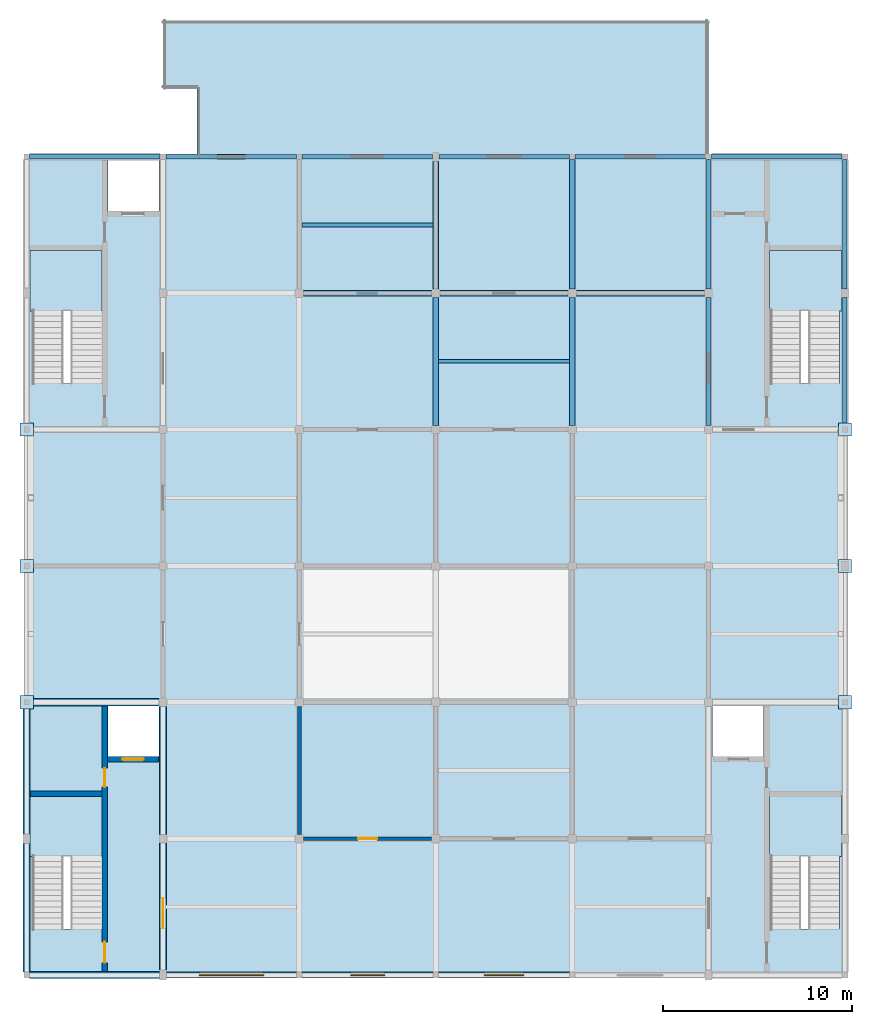
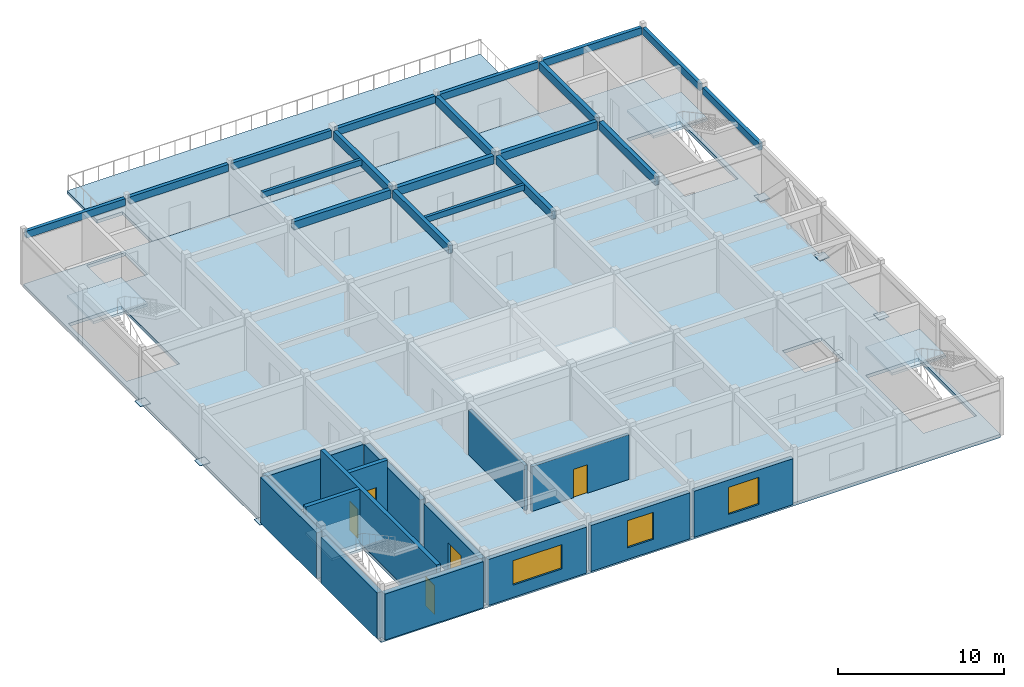
# One storey, part 2 of 6: 19 beams, 14 walls, 6 plates, 6 slabs, 5 doors, 3 windows, 8 openings, 4 elements without a shape of their own.
"""IFC4 building model written with IfcOpenShell, lengths in metres."""

from ifc_helpers import new_model, si_unit, direction, frame, frame_2d, origin, origin_2d, place, context, subcontext, project, spatial, polyline, rectangle, outline, extrude, material, layer, layer_set, material_profile, profile_set, type_object, element, fill, aggregate, save


model = new_model("IFC4")

# Units and contexts
model_context = context("Model", 3, precision=1e-05, world=origin(), true_north=direction((0.0, 1.0)))
body_context = subcontext(model_context, "Body", "Model", "MODEL_VIEW")
ifc_project = project(units=[si_unit("LENGTHUNIT", "METRE"), si_unit("AREAUNIT", "SQUARE_METRE"), si_unit("VOLUMEUNIT", "CUBIC_METRE"), si_unit("PLANEANGLEUNIT", "RADIAN"), si_unit("MASSUNIT", "GRAM", prefix="KILO")], contexts=[model_context])

# Site, building, storey
site_placement = place(None, origin())
site = spatial("IfcSite", under=ifc_project, at=site_placement, CompositionType="ELEMENT")
building_placement = place(site_placement, origin())
building = spatial("IfcBuilding", under=site, at=building_placement, Name="Cendaluz Park School", CompositionType="ELEMENT")
storey_placement = place(building_placement, frame((0.0, 0.0, 63.0)))
storey = spatial("IfcBuildingStorey", under=building, at=storey_placement, Name="L15", CompositionType="ELEMENT", Elevation=63.0)

# Beams
ifc_material_1 = material(Name="Glulam GL28h", Category="wood")
ifc_material_profile_1 = material_profile(ifc_material_1, rectangle(XDim=0.280029296875, YDim=0.60009765625, at=origin_2d()), Name="GL28h 280x600", Category="wood")
ifc_profile_set_1 = profile_set([ifc_material_profile_1], Name="Glulam GL28h")
beam_type_1 = type_object("IfcBeamType", Name="BM-GL02", PredefinedType="BEAM", material=ifc_profile_set_1)
beam_1_placement = place(storey_placement, frame((79.419921875, 50.39990234375, 3.610107421875), z_axis=(1.0, 0.0, 0.0), x_axis=(0.0, 1.0, 0.0)))
element("IfcBeam", 1, at=beam_1_placement, inside=storey, type_object=beam_type_1, Name="BM-L15-BMGL02-0018", PredefinedType="BEAM", context=body_context, shape_type="SweptSolid", body=[
    extrude(rectangle(XDim=0.280029296875, YDim=0.60009765625, at=origin_2d()), origin(), (0.0, 0.0, 1.0), 6.760009765625),
])
beam_2_placement = place(storey_placement, frame((86.6201171875, 50.39990234375, 3.610107421875), z_axis=(1.0, 0.0, 0.0), x_axis=(0.0, 1.0, 0.0)))
element("IfcBeam", 2, at=beam_2_placement, inside=storey, type_object=beam_type_1, Name="BM-L15-BMGL02-0025", PredefinedType="BEAM", context=body_context, shape_type="SweptSolid", body=[
    extrude(rectangle(XDim=0.280029296875, YDim=0.60009765625, at=origin_2d()), origin(), (0.0, 0.0, 1.0), 6.759765625),
])
for number, where, z_axis, x_axis, name in (
    (3, (93.820068359375, 50.39990234375, 3.610107421875), (1.0, 0.0, 0.0), (0.0, 1.0, 0.0), "BM-L15-BMGL02-0032"),
    (4, (86.39990234375, 43.419921875, 3.610107421875), (0.0, 1.0, 0.0), (-1.0, 0.0, 0.0), "BM-L15-BMGL02-0061"),
):
    element("IfcBeam", number, at=place(storey_placement, frame(where, z_axis=z_axis, x_axis=x_axis)), inside=storey, type_object=beam_type_1, Name=name, PredefinedType="BEAM", context=body_context, shape_type="SweptSolid", body=[
        extrude(rectangle(XDim=0.280029296875, YDim=0.60009765625, at=origin_2d()), origin(), (0.0, 0.0, 1.0), 6.760009765625),
    ])
beam_3_placement = place(storey_placement, frame((86.39990234375, 50.6201171875, 3.610107421875), z_axis=(0.0, 1.0, 0.0), x_axis=(-1.0, 0.0, 0.0)))
element("IfcBeam", 5, at=beam_3_placement, inside=storey, type_object=beam_type_1, Name="BM-L15-BMGL02-0062", PredefinedType="BEAM", context=body_context, shape_type="SweptSolid", body=[
    extrude(rectangle(XDim=0.280029296875, YDim=0.60009765625, at=origin_2d()), origin(), (0.0, 0.0, 1.0), 6.719970703125),
])
beam_4_placement = place(storey_placement, frame((93.60009765625, 43.419921875, 3.610107421875), z_axis=(0.0, 1.0, 0.0), x_axis=(-1.0, 0.0, 0.0)))
element("IfcBeam", 6, at=beam_4_placement, inside=storey, type_object=beam_type_1, Name="BM-L15-BMGL02-0067", PredefinedType="BEAM", context=body_context, shape_type="SweptSolid", body=[
    extrude(rectangle(XDim=0.280029296875, YDim=0.60009765625, at=origin_2d()), origin(), (0.0, 0.0, 1.0), 6.760009765625),
])
beam_5_placement = place(storey_placement, frame((93.60009765625, 50.6201171875, 3.610107421875), z_axis=(0.0, 1.0, 0.0), x_axis=(-1.0, 0.0, 0.0)))
element("IfcBeam", 7, at=beam_5_placement, inside=storey, type_object=beam_type_1, Name="BM-L15-BMGL02-0068", PredefinedType="BEAM", context=body_context, shape_type="SweptSolid", body=[
    extrude(rectangle(XDim=0.280029296875, YDim=0.60009765625, at=origin_2d()), origin(), (0.0, 0.0, 1.0), 6.829833984375),
])
beam_6_placement = place(storey_placement, frame((100.800048828125, 43.419921875, 3.610107421875), z_axis=(0.0, 1.0, 0.0), x_axis=(-1.0, 0.0, 0.0)))
element("IfcBeam", 8, at=beam_6_placement, inside=storey, type_object=beam_type_1, Name="BM-L15-BMGL02-0073", PredefinedType="BEAM", context=body_context, shape_type="SweptSolid", body=[
    extrude(rectangle(XDim=0.280029296875, YDim=0.60009765625, at=origin_2d()), origin(), (0.0, 0.0, 1.0), 6.760009765625),
])
beam_7_placement = place(storey_placement, frame((100.800048828125, 50.6201171875, 3.610107421875), z_axis=(0.0, 1.0, 0.0), x_axis=(-1.0, 0.0, 0.0)))
element("IfcBeam", 9, at=beam_7_placement, inside=storey, type_object=beam_type_1, Name="BM-L15-BMGL02-0074", PredefinedType="BEAM", context=body_context, shape_type="SweptSolid", body=[
    extrude(rectangle(XDim=0.280029296875, YDim=0.60009765625, at=origin_2d()), origin(), (0.0, 0.0, 1.0), 6.829833984375),
])
ifc_material_profile_2 = material_profile(ifc_material_1, rectangle(XDim=0.239990234375, YDim=0.52001953125, at=origin_2d()), Name="GL28h 240x520", Category="wood")
ifc_profile_set_2 = profile_set([ifc_material_profile_2], Name="Glulam GL28h")
beam_type_2 = type_object("IfcBeamType", Name="BM-GL03", PredefinedType="SPANDREL", material=ifc_profile_set_2)
for number, where, z_axis, x_axis, name in (
    (10, (64.949951171875, 57.60009765625, 3.64990234375), (1.0, 0.0, 0.0), (0.0, 1.0, 0.0), "BM-L15-BMGL03-0005"),
    (11, (72.14990234375, 57.60009765625, 3.64990234375), (1.0, 0.0, 0.0), (0.0, 1.0, 0.0), "BM-L15-BMGL03-0012"),
):
    element("IfcBeam", number, at=place(storey_placement, frame(where, z_axis=z_axis, x_axis=x_axis)), inside=storey, type_object=beam_type_2, Name=name, PredefinedType="SPANDREL", context=body_context, shape_type="SweptSolid", body=[
        extrude(rectangle(XDim=0.239990234375, YDim=0.52001953125, at=origin_2d()), origin(), (0.0, 0.0, 1.0), 6.900146484375),
    ])
for number, where, z_axis, x_axis, name in (
    (12, (79.35009765625, 57.60009765625, 3.64990234375), (1.0, 0.0, 0.0), (0.0, 1.0, 0.0), "BM-L15-BMGL03-0019"),
    (13, (86.580078125, 57.60009765625, 3.64990234375), (1.0, 0.0, 0.0), (0.0, 1.0, 0.0), "BM-L15-BMGL03-0026"),
):
    element("IfcBeam", number, at=place(storey_placement, frame(where, z_axis=z_axis, x_axis=x_axis)), inside=storey, type_object=beam_type_2, Name=name, PredefinedType="SPANDREL", context=body_context, shape_type="SweptSolid", body=[
        extrude(rectangle(XDim=0.239990234375, YDim=0.52001953125, at=origin_2d()), origin(), (0.0, 0.0, 1.0), 6.869873046875),
    ])
beam_8_placement = place(storey_placement, frame((93.75, 57.60009765625, 3.64990234375), z_axis=(1.0, 0.0, 0.0), x_axis=(0.0, 1.0, 0.0)))
element("IfcBeam", 14, at=beam_8_placement, inside=storey, type_object=beam_type_2, Name="BM-L15-BMGL03-0033", PredefinedType="SPANDREL", context=body_context, shape_type="SweptSolid", body=[
    extrude(rectangle(XDim=0.239990234375, YDim=0.52001953125, at=origin_2d()), origin(), (0.0, 0.0, 1.0), 6.89990234375),
])
beam_9_placement = place(storey_placement, frame((100.949951171875, 57.60009765625, 3.64990234375), z_axis=(1.0, 0.0, 0.0), x_axis=(0.0, 1.0, 0.0)))
element("IfcBeam", 15, at=beam_9_placement, inside=storey, type_object=beam_type_2, Name="BM-L15-BMGL03-0038", PredefinedType="SPANDREL", context=body_context, shape_type="SweptSolid", body=[
    extrude(rectangle(XDim=0.239990234375, YDim=0.52001953125, at=origin_2d()), origin(), (0.0, 0.0, 1.0), 6.900146484375),
])
for number, where, z_axis, x_axis, name in (
    (16, (108.0, 43.35009765625, 3.64990234375), (0.0, 1.0, 0.0), (-1.0, 0.0, 0.0), "BM-L15-BMGL03-0079"),
    (17, (108.0, 50.6201171875, 3.64990234375), (0.0, 1.0, 0.0), (-1.0, 0.0, 0.0), "BM-L15-BMGL03-0080"),
):
    element("IfcBeam", number, at=place(storey_placement, frame(where, z_axis=z_axis, x_axis=x_axis)), inside=storey, type_object=beam_type_2, Name=name, PredefinedType="SPANDREL", context=body_context, shape_type="SweptSolid", body=[
        extrude(rectangle(XDim=0.239990234375, YDim=0.52001953125, at=origin_2d()), origin(), (0.0, 0.0, 1.0), 6.829833984375),
    ])
ifc_material_profile_3 = material_profile(ifc_material_1, rectangle(XDim=0.199951171875, YDim=0.419921875, at=origin_2d()), Name="GL28h 200x420", Category="wood")
ifc_profile_set_3 = profile_set([ifc_material_profile_3], Name="Glulam GL28h")
beam_type_3 = type_object("IfcBeamType", Name="JT-GL02", PredefinedType="JOIST", material=ifc_profile_set_3)
for number, where, z_axis, x_axis, name in (
    (18, (79.340087890625, 54.0, 3.699951171875), (1.0, 0.0, 0.0), (0.0, 1.0, 0.0), "BM-L15-JTGL02-0084"),
    (19, (86.5400390625, 46.800048828125, 3.699951171875), (1.0, 0.0, 0.0), (0.0, 1.0, 0.0), "BM-L15-JTGL02-0086"),
):
    element("IfcBeam", number, at=place(storey_placement, frame(where, z_axis=z_axis, x_axis=x_axis)), inside=storey, type_object=beam_type_3, Name=name, PredefinedType="JOIST", context=body_context, shape_type="SweptSolid", body=[
        extrude(rectangle(XDim=0.199951171875, YDim=0.419921875, at=origin_2d()), origin(), (0.0, 0.0, 1.0), 6.919921875),
    ])

# Plates
ifc_material_2 = material(Name="Steel S355", Category="steel")
ifc_layer_1 = layer(ifc_material_2, 0.030029296875)
ifc_layer_set_1 = layer_set([ifc_layer_1], Name="Steel S355")
plate_type = type_object("IfcPlateType", Name="GP-02", PredefinedType="SHEET", material=ifc_layer_set_1)
for number, where, z_axis, x_axis, name in (
    (20, (64.800048828125, 28.800048828125, 0.0), (0.0, 0.0, 1.0), (1.0, 0.0, 0.0), "GP-L15-BF01"),
    (21, (64.800048828125, 36.0, 0.0), (0.0, 0.0, 1.0), (1.0, 0.0, 0.0), "GP-L15-BF02"),
    (22, (64.800048828125, 43.199951171875, 0.0), (0.0, 0.0, 1.0), (1.0, 0.0, 0.0), "GP-L15-BF03"),
    (23, (108.0, 28.800048828125, 0.0), (0.0, 0.0, 1.0), (1.0, 0.0, 0.0), "GP-L15-BF04"),
    (24, (108.0, 36.0, 0.0), (0.0, 0.0, 1.0), (1.0, 0.0, 0.0), "GP-L15-BF05"),
    (25, (108.0, 43.199951171875, 0.0), (0.0, 0.0, 1.0), (1.0, 0.0, 0.0), "GP-L15-BF06"),
):
    element("IfcPlate", number, at=place(storey_placement, frame(where, z_axis=z_axis, x_axis=x_axis)), inside=storey, type_object=plate_type, Name=name, PredefinedType="SHEET", context=body_context, shape_type="SweptSolid", body=[
        extrude(rectangle(XDim=0.699951171875, YDim=0.699951171875, at=origin_2d()), origin(), (0.0, 0.0, 1.0), 0.030029296875),
    ])

# Slab
ifc_material_3 = material(Name="Cross-laminated timber CLT C24", Category="wood")
ifc_layer_2 = layer(ifc_material_3, 0.239990234375)
ifc_layer_set_2 = layer_set([ifc_layer_2], Name="Cross-laminated timber CLT C24")
slab_type_1 = type_object("IfcSlabType", Name="SL-FL-240", PredefinedType="FLOOR", material=ifc_layer_set_2)
slab_1_placement = place(storey_placement, frame((0.0, 0.0, -0.239990234375)))
element("IfcSlab", 26, at=slab_1_placement, inside=storey, type_object=slab_type_1, Name="SL-L15-01", PredefinedType="FLOOR", context=body_context, shape_type="SweptSolid", body=[
    extrude(outline(polyline([(64.800048828125, 57.60009765625), (108.0, 57.60009765625), (108.0, 14.39990234375), (64.800048828125, 14.39990234375), (64.800048828125, 57.60009765625)]), holes=[polyline([(65.080078125, 16.820068359375), (68.77001953125, 16.820068359375), (68.77001953125, 23.840087890625), (65.080078125, 23.840087890625), (65.080078125, 16.820068359375)]), polyline([(69.10009765625, 28.60009765625), (69.10009765625, 25.93994140625), (71.800048828125, 25.93994140625), (71.800048828125, 28.60009765625), (69.10009765625, 28.60009765625)]), polyline([(107.719970703125, 23.840087890625), (104.030029296875, 23.840087890625), (104.030029296875, 16.820068359375), (107.719970703125, 16.820068359375), (107.719970703125, 23.840087890625)]), polyline([(103.699951171875, 25.93994140625), (103.699951171875, 28.60009765625), (101.0, 28.60009765625), (101.0, 25.93994140625), (103.699951171875, 25.93994140625)]), polyline([(65.080078125, 45.6201171875), (68.77001953125, 45.6201171875), (68.77001953125, 52.639892578125), (65.080078125, 52.639892578125), (65.080078125, 45.6201171875)]), polyline([(69.10009765625, 57.39990234375), (69.10009765625, 54.739990234375), (71.800048828125, 54.739990234375), (71.800048828125, 57.39990234375), (69.10009765625, 57.39990234375)]), polyline([(107.719970703125, 52.639892578125), (104.030029296875, 52.639892578125), (104.030029296875, 45.6201171875), (107.719970703125, 45.6201171875), (107.719970703125, 52.639892578125)])]), origin(), (0.0, 0.0, 1.0), 0.239990234375),
])

# Stair, slab
stair_type = type_object("IfcStairType", Name="ST-420-165", PredefinedType="HALF_TURN_STAIR", material=ifc_material_3)
stair_1_placement = place(storey_placement, origin())
stair_1 = element("IfcStair", 27, at=stair_1_placement, inside=storey, type_object=stair_type, Name="ST-L15-C1", PredefinedType="HALF_TURN_STAIR")
ifc_layer_3 = layer(ifc_material_3, 0.179931640625)
ifc_layer_set_3 = layer_set([ifc_layer_3], Name="Cross-laminated timber CLT C24")
slab_type_2 = type_object("IfcSlabType", Name="SL-LD-180", PredefinedType="LANDING", material=ifc_layer_set_3)
slab_2_placement = place(storey_placement, frame((0.0, 0.0, 1.919921875)))
slab_2 = element("IfcSlab", 28, at=slab_2_placement, type_object=slab_type_2, Name="SL-LD-L15-C1", PredefinedType="LANDING", context=body_context, shape_type="SweptSolid", body=[
    extrude(outline(polyline([(64.989990234375, 20.659912109375), (68.77001953125, 20.659912109375), (68.77001953125, 23.860107421875), (64.989990234375, 23.860107421875), (64.989990234375, 20.659912109375)])), origin(), (0.0, 0.0, 1.0), 0.18017578125),
])
aggregate(stair_1, [slab_2])

stair_2_placement = place(storey_placement, origin())
stair_2 = element("IfcStair", 29, at=stair_2_placement, inside=storey, type_object=stair_type, Name="ST-L15-C2", PredefinedType="HALF_TURN_STAIR")
slab_3_placement = place(storey_placement, frame((0.0, 0.0, 1.919921875)))
slab_3 = element("IfcSlab", 30, at=slab_3_placement, type_object=slab_type_2, Name="SL-LD-L15-C2", PredefinedType="LANDING", context=body_context, shape_type="SweptSolid", body=[
    extrude(outline(polyline([(104.030029296875, 20.659912109375), (107.81005859375, 20.659912109375), (107.81005859375, 23.860107421875), (104.030029296875, 23.860107421875), (104.030029296875, 20.659912109375)])), origin(), (0.0, 0.0, 1.0), 0.18017578125),
])
aggregate(stair_2, [slab_3])

stair_3_placement = place(storey_placement, origin())
stair_3 = element("IfcStair", 31, at=stair_3_placement, inside=storey, type_object=stair_type, Name="ST-L15-C3", PredefinedType="HALF_TURN_STAIR")
slab_4_placement = place(storey_placement, frame((0.0, 0.0, 1.919921875)))
slab_4 = element("IfcSlab", 32, at=slab_4_placement, type_object=slab_type_2, Name="SL-LD-L15-C3", PredefinedType="LANDING", context=body_context, shape_type="SweptSolid", body=[
    extrude(outline(polyline([(64.989990234375, 49.4599609375), (68.77001953125, 49.4599609375), (68.77001953125, 52.659912109375), (64.989990234375, 52.659912109375), (64.989990234375, 49.4599609375)])), origin(), (0.0, 0.0, 1.0), 0.18017578125),
])
aggregate(stair_3, [slab_4])

stair_4_placement = place(storey_placement, origin())
stair_4 = element("IfcStair", 33, at=stair_4_placement, inside=storey, type_object=stair_type, Name="ST-L15-C4", PredefinedType="HALF_TURN_STAIR")
slab_5_placement = place(storey_placement, frame((0.0, 0.0, 1.919921875)))
slab_5 = element("IfcSlab", 34, at=slab_5_placement, type_object=slab_type_2, Name="SL-LD-L15-C4", PredefinedType="LANDING", context=body_context, shape_type="SweptSolid", body=[
    extrude(outline(polyline([(104.030029296875, 49.4599609375), (107.81005859375, 49.4599609375), (107.81005859375, 52.659912109375), (104.030029296875, 52.659912109375), (104.030029296875, 49.4599609375)])), origin(), (0.0, 0.0, 1.0), 0.18017578125),
])
aggregate(stair_4, [slab_5])

# Slab
ifc_layer_4 = layer(ifc_material_3, 0.239990234375)
ifc_layer_set_4 = layer_set([ifc_layer_4], Name="Cross-laminated timber CLT C24")
slab_type_3 = type_object("IfcSlabType", Name="SL-PD-240", PredefinedType="FLOOR", material=ifc_layer_set_4)
slab_6_placement = place(storey_placement, frame((0.0, 0.0, -0.239990234375)))
element("IfcSlab", 35, at=slab_6_placement, inside=storey, type_object=slab_type_3, Name="Play Deck Slab PD-L15-N", PredefinedType="FLOOR", context=body_context, shape_type="SweptSolid", body=[
    extrude(outline(polyline([(100.800048828125, 64.800048828125), (100.800048828125, 57.60009765625), (73.800048828125, 57.60009765625), (73.800048828125, 61.199951171875), (72.0, 61.199951171875), (72.0, 64.800048828125), (100.800048828125, 64.800048828125)])), origin(), (0.0, 0.0, 1.0), 0.239990234375),
])

# Wall, opening, door
ifc_material_4 = material(Name="Gypsum Plasterboard on Cold-Formed Stud", Category="gypsum")
ifc_layer_5 = layer(ifc_material_4, 0.199951171875)
ifc_layer_set_5 = layer_set([ifc_layer_5], Name="Gypsum Plasterboard on Cold-Formed Stud")
wall_type_1 = type_object("IfcWallType", Name="W-AC20", PredefinedType="PARTITIONING", material=ifc_layer_set_5)
wall_1_placement = place(storey_placement, frame((79.419921875, 21.60009765625, 0.0), z_axis=(0.0, 0.0, 1.0), x_axis=(1.0, 0.0, 0.0)))
wall_1 = element("IfcWall", 36, at=wall_1_placement, inside=storey, type_object=wall_type_1, Name="WL-FP-BK1", PredefinedType="PARTITIONING", context=body_context, shape_type="SweptSolid", body=[
    extrude(rectangle(XDim=6.760009765625, YDim=0.199951171875, at=frame_2d((3.3798828125, 0.0))), origin(), (0.0, 0.0, 1.0), 3.31005859375),
])
opening_1_placement = place(wall_1_placement, frame((2.8798828125, 0.0, 0.0)))
opening_1 = element("IfcOpeningElement", 37, at=opening_1_placement, cuts=wall_1, Name="Opening DCL-01", PredefinedType="OPENING", context=body_context, shape_type="SweptSolid", body=[
    extrude(rectangle(XDim=1.0, YDim=2.10009765625, at=frame_2d((0.5, 1.050048828125))), frame((0.0, 0.112060546875, 0.0), z_axis=(0.0, -1.0, 0.0), x_axis=(1.0, 0.0, 0.0)), (0.0, 0.0, 1.0), 0.223876953125),
])
ifc_material_5 = material(Name="Solid Core Hardwood", Category="wood")
door_type_1 = type_object("IfcDoorType", Name="DCL-01", OperationType="NOTDEFINED", PredefinedType="DOOR", material=ifc_material_5)
door_1_placement = place(opening_1_placement, origin())
door_1 = element("IfcDoor", 38, at=door_1_placement, inside=storey, type_object=door_type_1, Name="D-L15-026", OperationType="SINGLE_SWING_RIGHT", OverallHeight=2.10009765625, OverallWidth=1.0, PredefinedType="DOOR", context=body_context, shape_type="SweptSolid", body=[
    extrude(rectangle(XDim=1.0, YDim=2.10009765625, at=frame_2d((0.5, 1.050048828125))), frame((0.0, 0.02490234375, 0.0), z_axis=(0.0, -1.0, 0.0), x_axis=(1.0, 0.0, 0.0)), (0.0, 0.0, 1.0), 0.050048828125),
])
fill(opening_1, door_1)

# Wall
wall_2_placement = place(storey_placement, frame((79.199951171875, 21.820068359375, 0.0), z_axis=(0.0, 0.0, 1.0), x_axis=(0.0, 1.0, 0.0)))
element("IfcWall", 39, at=wall_2_placement, inside=storey, type_object=wall_type_1, Name="WL-FP-BK2", PredefinedType="PARTITIONING", context=body_context, shape_type="SweptSolid", body=[
    extrude(rectangle(XDim=6.760009765625, YDim=0.199951171875, at=frame_2d((3.3798828125, 0.0))), origin(), (0.0, 0.0, 1.0), 3.31005859375),
])

# Wall, opening, window
ifc_layer_6 = layer(ifc_material_3, 0.300048828125)
ifc_layer_set_6 = layer_set([ifc_layer_6], Name="Cross-laminated timber CLT C24")
wall_type_2 = type_object("IfcWallType", Name="W-EX30", PredefinedType="SOLIDWALL", material=ifc_layer_set_6)
wall_3_placement = place(storey_placement, frame((72.179931640625, 14.39990234375, 0.0), z_axis=(0.0, 0.0, 1.0), x_axis=(1.0, 0.0, 0.0)))
wall_3 = element("IfcWall", 40, at=wall_3_placement, inside=storey, type_object=wall_type_2, Name="WL-FP-AA2", PredefinedType="SOLIDWALL", context=body_context, shape_type="SweptSolid", body=[
    extrude(rectangle(XDim=6.8701171875, YDim=0.300048828125, at=frame_2d((3.43505859375, 0.0))), origin(), (0.0, 0.0, 1.0), 3.389892578125),
])
opening_2_placement = place(wall_3_placement, frame((1.735107421875, 0.0, 0.89990234375)))
opening_2 = element("IfcOpeningElement", 41, at=opening_2_placement, cuts=wall_3, Name="Opening WN-09", PredefinedType="OPENING", context=body_context, shape_type="SweptSolid", body=[
    extrude(rectangle(XDim=3.39990234375, YDim=1.800048828125, at=frame_2d((1.699951171875, 0.89990234375))), frame((0.0, 0.162109375, 0.0), z_axis=(0.0, -1.0, 0.0), x_axis=(1.0, 0.0, 0.0)), (0.0, 0.0, 1.0), 0.323974609375),
])
ifc_material_6 = material(Name="Tempered Low-E Double Glazing", Category="glass")
window_type_1 = type_object("IfcWindowType", Name="WN-09", PartitioningType="SINGLE_PANEL", PredefinedType="WINDOW", material=ifc_material_6)
window_1_placement = place(opening_2_placement, origin())
window_1 = element("IfcWindow", 42, at=window_1_placement, inside=storey, type_object=window_type_1, Name="WN-L15-001", OverallHeight=1.800048828125, OverallWidth=3.39990234375, PartitioningType="SINGLE_PANEL", PredefinedType="WINDOW", context=body_context, shape_type="SweptSolid", body=[
    extrude(rectangle(XDim=3.39990234375, YDim=1.800048828125, at=frame_2d((1.699951171875, 0.89990234375))), frame((0.0, 0.030029296875, 0.0), z_axis=(0.0, -1.0, 0.0), x_axis=(1.0, 0.0, 0.0)), (0.0, 0.0, 1.0), 0.06005859375),
])
fill(opening_2, window_1)

wall_4_placement = place(storey_placement, frame((79.35009765625, 14.39990234375, 0.0), z_axis=(0.0, 0.0, 1.0), x_axis=(1.0, 0.0, 0.0)))
wall_4 = element("IfcWall", 43, at=wall_4_placement, inside=storey, type_object=wall_type_2, Name="WL-FP-AA4", PredefinedType="SOLIDWALL", context=body_context, shape_type="SweptSolid", body=[
    extrude(rectangle(XDim=6.89990234375, YDim=0.300048828125, at=frame_2d((3.449951171875, 0.0))), origin(), (0.0, 0.0, 1.0), 3.389892578125),
])
opening_3_placement = place(wall_4_placement, frame((2.550048828125, 0.0, 0.85009765625)))
opening_3 = element("IfcOpeningElement", 44, at=opening_3_placement, cuts=wall_4, Name="Opening WN-10", PredefinedType="OPENING", context=body_context, shape_type="SweptSolid", body=[
    extrude(rectangle(XDim=1.800048828125, YDim=2.0, at=frame_2d((0.89990234375, 1.0))), frame((0.0, 0.162109375, 0.0), z_axis=(0.0, -1.0, 0.0), x_axis=(1.0, 0.0, 0.0)), (0.0, 0.0, 1.0), 0.323974609375),
])
window_type_2 = type_object("IfcWindowType", Name="WN-10", PartitioningType="SINGLE_PANEL", PredefinedType="WINDOW", material=ifc_material_6)
window_2_placement = place(opening_3_placement, origin())
window_2 = element("IfcWindow", 45, at=window_2_placement, inside=storey, type_object=window_type_2, Name="WN-L15-002", OverallHeight=2.0, OverallWidth=1.800048828125, PartitioningType="SINGLE_PANEL", PredefinedType="WINDOW", context=body_context, shape_type="SweptSolid", body=[
    extrude(rectangle(XDim=1.800048828125, YDim=2.0, at=frame_2d((0.89990234375, 1.0))), frame((0.0, 0.030029296875, 0.0), z_axis=(0.0, -1.0, 0.0), x_axis=(1.0, 0.0, 0.0)), (0.0, 0.0, 1.0), 0.06005859375),
])
fill(opening_3, window_2)

wall_5_placement = place(storey_placement, frame((86.550048828125, 14.39990234375, 0.0), z_axis=(0.0, 0.0, 1.0), x_axis=(1.0, 0.0, 0.0)))
wall_5 = element("IfcWall", 46, at=wall_5_placement, inside=storey, type_object=wall_type_2, Name="WL-FP-AA6", PredefinedType="SOLIDWALL", context=body_context, shape_type="SweptSolid", body=[
    extrude(rectangle(XDim=6.89990234375, YDim=0.300048828125, at=frame_2d((3.449951171875, 0.0))), origin(), (0.0, 0.0, 1.0), 3.389892578125),
])
opening_4_placement = place(wall_5_placement, frame((2.39990234375, 0.0, 0.85009765625)))
opening_4 = element("IfcOpeningElement", 47, at=opening_4_placement, cuts=wall_5, Name="Opening WN-11", PredefinedType="OPENING", context=body_context, shape_type="SweptSolid", body=[
    extrude(rectangle(XDim=2.10009765625, YDim=2.0, at=frame_2d((1.050048828125, 1.0))), frame((0.0, 0.162109375, 0.0), z_axis=(0.0, -1.0, 0.0), x_axis=(1.0, 0.0, 0.0)), (0.0, 0.0, 1.0), 0.323974609375),
])
window_type_3 = type_object("IfcWindowType", Name="WN-11", PartitioningType="SINGLE_PANEL", PredefinedType="WINDOW", material=ifc_material_6)
window_3_placement = place(opening_4_placement, origin())
window_3 = element("IfcWindow", 48, at=window_3_placement, inside=storey, type_object=window_type_3, Name="WN-L15-003", OverallHeight=2.0, OverallWidth=2.10009765625, PartitioningType="SINGLE_PANEL", PredefinedType="WINDOW", context=body_context, shape_type="SweptSolid", body=[
    extrude(rectangle(XDim=2.10009765625, YDim=2.0, at=frame_2d((1.050048828125, 1.0))), frame((0.0, 0.030029296875, 0.0), z_axis=(0.0, -1.0, 0.0), x_axis=(1.0, 0.0, 0.0)), (0.0, 0.0, 1.0), 0.06005859375),
])
fill(opening_4, window_3)

# Wall, openings, doors
ifc_material_7 = material(Name="Concrete C40/50", Category="concrete")
ifc_layer_7 = layer(ifc_material_7, 0.280029296875)
ifc_layer_set_7 = layer_set([ifc_layer_7], Name="Concrete C40/50")
wall_type_3 = type_object("IfcWallType", Name="W-FW28", PredefinedType="SHEAR", material=ifc_layer_set_7)
wall_6_placement = place(storey_placement, frame((68.919921875, 14.60009765625, 0.0), z_axis=(0.0, 0.0, 1.0), x_axis=(0.0, 1.0, 0.0)))
wall_6 = element("IfcWall", 49, at=wall_6_placement, inside=storey, type_object=wall_type_3, Name="WL-FP-BF8", PredefinedType="SHEAR", context=body_context, shape_type="SweptSolid", body=[
    extrude(rectangle(XDim=14.0, YDim=0.280029296875, at=frame_2d((7.0, 0.0))), origin(), (0.0, 0.0, 1.0), 3.9599609375),
])
opening_5_placement = place(wall_6_placement, frame((0.449951171875, 0.0, 0.0)))
opening_5 = element("IfcOpeningElement", 50, at=opening_5_placement, cuts=wall_6, Name="Opening DST-01", PredefinedType="OPENING", context=body_context, shape_type="SweptSolid", body=[
    extrude(rectangle(XDim=1.10009765625, YDim=2.14990234375, at=frame_2d((0.550048828125, 1.074951171875))), frame((0.0, 0.152099609375, 0.0), z_axis=(0.0, -1.0, 0.0), x_axis=(1.0, 0.0, 0.0)), (0.0, 0.0, 1.0), 0.303955078125),
])
opening_6_placement = place(wall_6_placement, frame((9.719970703125, 0.0, 0.0)))
opening_6 = element("IfcOpeningElement", 51, at=opening_6_placement, cuts=wall_6, Name="Opening DFC-01", PredefinedType="OPENING", context=body_context, shape_type="SweptSolid", body=[
    extrude(rectangle(XDim=1.0, YDim=2.14990234375, at=frame_2d((0.5, 1.074951171875))), frame((0.0, 0.152099609375, 0.0), z_axis=(0.0, -1.0, 0.0), x_axis=(1.0, 0.0, 0.0)), (0.0, 0.0, 1.0), 0.303955078125),
])
door_type_2 = type_object("IfcDoorType", Name="DFC-01", OperationType="NOTDEFINED", PredefinedType="DOOR", material=ifc_material_5)
door_2_placement = place(opening_6_placement, origin())
door_2 = element("IfcDoor", 52, at=door_2_placement, inside=storey, type_object=door_type_2, Name="D-L15-007", OperationType="SINGLE_SWING_LEFT", OverallHeight=2.14990234375, OverallWidth=1.0, PredefinedType="DOOR", context=body_context, shape_type="SweptSolid", body=[
    extrude(rectangle(XDim=1.0, YDim=2.14990234375, at=frame_2d((0.5, 1.074951171875))), frame((0.0, 0.02490234375, 0.0), z_axis=(0.0, -1.0, 0.0), x_axis=(1.0, 0.0, 0.0)), (0.0, 0.0, 1.0), 0.050048828125),
])
fill(opening_6, door_2)
door_type_3 = type_object("IfcDoorType", Name="DST-01", OperationType="NOTDEFINED", PredefinedType="DOOR", material=ifc_material_5)
door_3_placement = place(opening_5_placement, origin())
door_3 = element("IfcDoor", 53, at=door_3_placement, inside=storey, type_object=door_type_3, Name="D-L15-006", OperationType="SINGLE_SWING_LEFT", OverallHeight=2.14990234375, OverallWidth=1.10009765625, PredefinedType="DOOR", context=body_context, shape_type="SweptSolid", body=[
    extrude(rectangle(XDim=1.10009765625, YDim=2.14990234375, at=frame_2d((0.550048828125, 1.074951171875))), frame((0.0, 0.02490234375, 0.0), z_axis=(0.0, -1.0, 0.0), x_axis=(1.0, 0.0, 0.0)), (0.0, 0.0, 1.0), 0.050048828125),
])
fill(opening_5, door_3)

# Wall
wall_7_placement = place(storey_placement, frame((65.0, 23.97998046875, 0.0), z_axis=(0.0, 0.0, 1.0), x_axis=(1.0, 0.0, 0.0)))
element("IfcWall", 54, at=wall_7_placement, inside=storey, type_object=wall_type_3, Name="WL-FP-BF9", PredefinedType="SHEAR", context=body_context, shape_type="SweptSolid", body=[
    extrude(rectangle(XDim=3.780029296875, YDim=0.280029296875, at=frame_2d((1.89013671875, 0.0))), origin(), (0.0, 0.0, 1.0), 3.9599609375),
])

# Wall, opening, door
wall_8_placement = place(storey_placement, frame((69.080078125, 25.800048828125, 0.0), z_axis=(0.0, 0.0, 1.0), x_axis=(1.0, 0.0, 0.0)))
wall_8 = element("IfcWall", 55, at=wall_8_placement, inside=storey, type_object=wall_type_3, Name="WL-FP-BG0", PredefinedType="SHEAR", context=body_context, shape_type="SweptSolid", body=[
    extrude(rectangle(XDim=2.679931640625, YDim=0.280029296875, at=frame_2d((1.33984375, 0.0))), origin(), (0.0, 0.0, 1.0), 3.9599609375),
])
opening_7_placement = place(wall_8_placement, frame((0.764892578125, 0.0, 0.0)))
opening_7 = element("IfcOpeningElement", 56, at=opening_7_placement, cuts=wall_8, Name="Opening LD-01", PredefinedType="OPENING", context=body_context, shape_type="SweptSolid", body=[
    extrude(rectangle(XDim=1.14990234375, YDim=2.199951171875, at=frame_2d((0.574951171875, 1.10009765625))), frame((0.0, 0.152099609375, 0.0), z_axis=(0.0, -1.0, 0.0), x_axis=(1.0, 0.0, 0.0)), (0.0, 0.0, 1.0), 0.303955078125),
])
ifc_material_8 = material(Name="Stainless Steel 316L", Category="steel")
door_type_4 = type_object("IfcDoorType", Name="LD-01", OperationType="DOUBLE_DOOR_SLIDING", PredefinedType="DOOR", material=ifc_material_8)
door_4_placement = place(opening_7_placement, frame((1.14990234375, 0.0, 0.0), z_axis=(0.0, 0.0, 1.0), x_axis=(-1.0, 0.0, 0.0)))
door_4 = element("IfcDoor", 57, at=door_4_placement, inside=storey, type_object=door_type_4, Name="D-L15-008", OperationType="DOUBLE_DOOR_SLIDING", OverallHeight=2.199951171875, OverallWidth=1.14990234375, PredefinedType="DOOR", context=body_context, shape_type="SweptSolid", body=[
    extrude(rectangle(XDim=1.14990234375, YDim=2.199951171875, at=frame_2d((0.574951171875, 1.10009765625))), frame((0.0, 0.02490234375, 0.0), z_axis=(0.0, -1.0, 0.0), x_axis=(1.0, 0.0, 0.0)), (0.0, 0.0, 1.0), 0.050048828125),
])
fill(opening_7, door_4)

# Walls
ifc_layer_8 = layer(ifc_material_7, 0.3798828125)
ifc_layer_set_8 = layer_set([ifc_layer_8], Name="Concrete C40/50")
wall_type_4 = type_object("IfcWallType", Name="W-SH38", PredefinedType="SHEAR", material=ifc_layer_set_8)
wall_9_placement = place(storey_placement, frame((64.800048828125, 14.550048828125, 0.0), z_axis=(0.0, 0.0, 1.0), x_axis=(0.0, 1.0, 0.0)))
element("IfcWall", 58, at=wall_9_placement, inside=storey, type_object=wall_type_4, Name="WL-FP-BF2", PredefinedType="SHEAR", context=body_context, shape_type="SweptSolid", body=[
    extrude(rectangle(XDim=6.7900390625, YDim=0.3798828125, at=frame_2d((3.39501953125, 0.0))), origin(), (0.0, 0.0, 1.0), 3.389892578125),
])
wall_10_placement = place(storey_placement, frame((64.800048828125, 21.860107421875, 0.0), z_axis=(0.0, 0.0, 1.0), x_axis=(0.0, 1.0, 0.0)))
element("IfcWall", 59, at=wall_10_placement, inside=storey, type_object=wall_type_4, Name="WL-FP-BF3", PredefinedType="SHEAR", context=body_context, shape_type="SweptSolid", body=[
    extrude(rectangle(XDim=6.789794921875, YDim=0.3798828125, at=frame_2d((3.39501953125, 0.0))), origin(), (0.0, 0.0, 1.0), 3.389892578125),
])

# Wall, opening, door
wall_11_placement = place(storey_placement, frame((72.0, 14.659912109375, 0.0), z_axis=(0.0, 0.0, 1.0), x_axis=(0.0, 1.0, 0.0)))
wall_11 = element("IfcWall", 60, at=wall_11_placement, inside=storey, type_object=wall_type_4, Name="WL-FP-BF4", PredefinedType="SHEAR", context=body_context, shape_type="SweptSolid", body=[
    extrude(rectangle(XDim=6.719970703125, YDim=0.3798828125, at=frame_2d((3.35986328125, 0.0))), origin(), (0.0, 0.0, 1.0), 3.31005859375),
])
opening_8_placement = place(wall_11_placement, frame((2.199951171875, 0.0, 0.0)))
opening_8 = element("IfcOpeningElement", 61, at=opening_8_placement, cuts=wall_11, Name="Opening DLB-01", PredefinedType="OPENING", context=body_context, shape_type="SweptSolid", body=[
    extrude(rectangle(XDim=1.60009765625, YDim=2.199951171875, at=frame_2d((0.800048828125, 1.10009765625))), frame((0.0, 0.201904296875, 0.0), z_axis=(0.0, -1.0, 0.0), x_axis=(1.0, 0.0, 0.0)), (0.0, 0.0, 1.0), 0.40380859375),
])
door_type_5 = type_object("IfcDoorType", Name="DLB-01", OperationType="DOUBLE_DOOR_SINGLE_SWING", PredefinedType="DOOR", material=ifc_material_5)
door_5_placement = place(opening_8_placement, origin())
door_5 = element("IfcDoor", 62, at=door_5_placement, inside=storey, type_object=door_type_5, Name="D-L15-005", OperationType="DOUBLE_DOOR_SINGLE_SWING", OverallHeight=2.199951171875, OverallWidth=1.60009765625, PredefinedType="DOOR", context=body_context, shape_type="SweptSolid", body=[
    extrude(rectangle(XDim=1.60009765625, YDim=2.199951171875, at=frame_2d((0.800048828125, 1.10009765625))), frame((0.0, 0.02490234375, 0.0), z_axis=(0.0, -1.0, 0.0), x_axis=(1.0, 0.0, 0.0)), (0.0, 0.0, 1.0), 0.050048828125),
])
fill(opening_8, door_5)

# Walls
wall_12_placement = place(storey_placement, frame((72.0, 21.820068359375, 0.0), z_axis=(0.0, 0.0, 1.0), x_axis=(0.0, 1.0, 0.0)))
element("IfcWall", 63, at=wall_12_placement, inside=storey, type_object=wall_type_4, Name="WL-FP-BF5", PredefinedType="SHEAR", context=body_context, shape_type="SweptSolid", body=[
    extrude(rectangle(XDim=6.760009765625, YDim=0.3798828125, at=frame_2d((3.3798828125, 0.0))), origin(), (0.0, 0.0, 1.0), 3.31005859375),
])
wall_13_placement = place(storey_placement, frame((64.949951171875, 14.39990234375, 0.0), z_axis=(0.0, 0.0, 1.0), x_axis=(1.0, 0.0, 0.0)))
element("IfcWall", 64, at=wall_13_placement, inside=storey, type_object=wall_type_4, Name="WL-FP-BF6", PredefinedType="SHEAR", context=body_context, shape_type="SweptSolid", body=[
    extrude(rectangle(XDim=6.8701171875, YDim=0.3798828125, at=frame_2d((3.43505859375, 0.0))), origin(), (0.0, 0.0, 1.0), 3.389892578125),
])
wall_14_placement = place(storey_placement, frame((64.949951171875, 28.800048828125, 0.0), z_axis=(0.0, 0.0, 1.0), x_axis=(1.0, 0.0, 0.0)))
element("IfcWall", 65, at=wall_14_placement, inside=storey, type_object=wall_type_4, Name="WL-FP-BF7", PredefinedType="SHEAR", context=body_context, shape_type="SweptSolid", body=[
    extrude(rectangle(XDim=6.830078125, YDim=0.3798828125, at=frame_2d((3.4150390625, 0.0))), origin(), (0.0, 0.0, 1.0), 3.31005859375),
])

save(model, "model.ifc")
